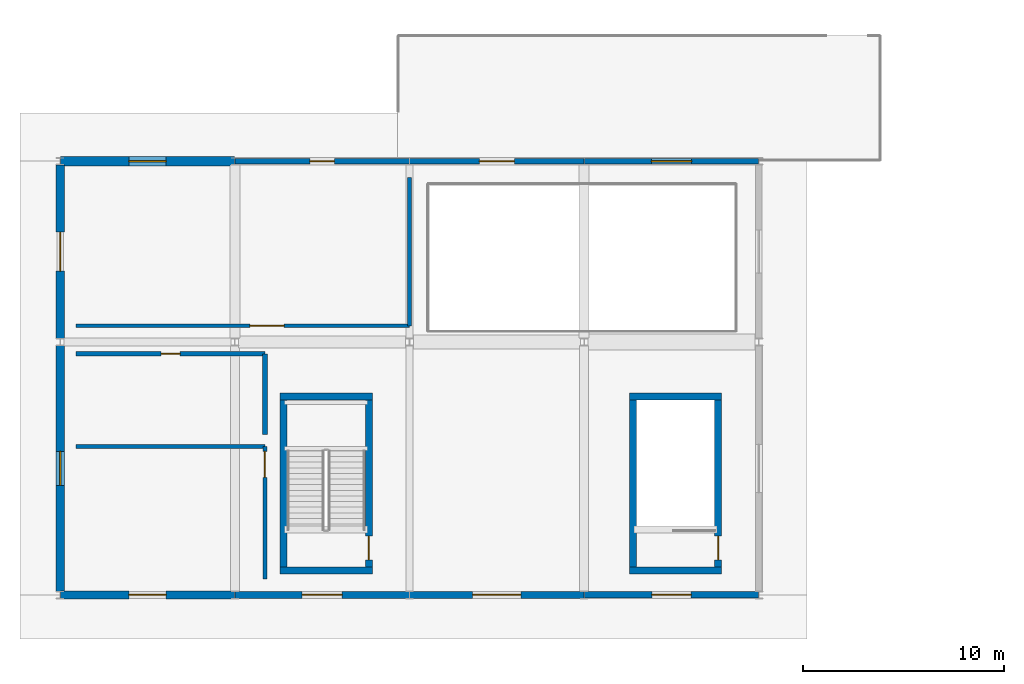
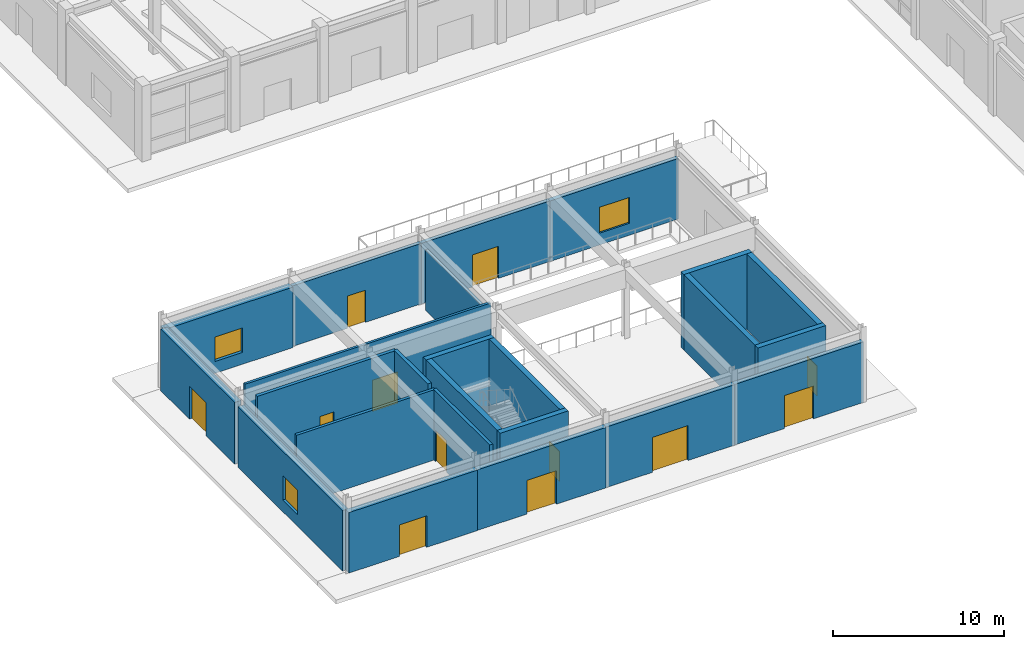
# One storey, part 68 of 91: 24 walls, 12 doors, 3 windows, 15 openings.
"""IFC4 building model written with IfcOpenShell, lengths in metres."""

from ifc_helpers import new_model, si_unit, direction, frame, frame_2d, origin, place, context, subcontext, project, spatial, rectangle, extrude, material, layer, layer_set, type_object, element, fill, save


model = new_model("IFC4")

# Units and contexts
model_context = context("Model", 3, precision=1e-05, world=origin(), true_north=direction((0.0, 1.0)))
body_context = subcontext(model_context, "Body", "Model", "MODEL_VIEW")
ifc_project = project(units=[si_unit("LENGTHUNIT", "METRE"), si_unit("AREAUNIT", "SQUARE_METRE"), si_unit("VOLUMEUNIT", "CUBIC_METRE"), si_unit("PLANEANGLEUNIT", "RADIAN"), si_unit("MASSUNIT", "GRAM", prefix="KILO")], contexts=[model_context])

# Site, building, storey
site_placement = place(None, origin())
site = spatial("IfcSite", under=ifc_project, at=site_placement, CompositionType="ELEMENT")
building_placement = place(site_placement, origin())
building = spatial("IfcBuilding", under=site, at=building_placement, Name="Vaelkrest Opera House", CompositionType="ELEMENT")
storey_placement = place(building_placement, origin())
storey = spatial("IfcBuildingStorey", under=building, at=storey_placement, Name="L00", CompositionType="ELEMENT", Elevation=0.0)

# Wall, opening, door
ifc_material_1 = material(Name="Douglas fir glulam GL28h", Category="wood")
ifc_layer_1 = layer(ifc_material_1, 0.2548828125)
ifc_layer_set_1 = layer_set([ifc_layer_1], Name="Douglas fir glulam GL28h")
wall_type_1 = type_object("IfcWallType", Name="EW01", PredefinedType="STANDARD", material=ifc_layer_set_1)
wall_1_placement = place(storey_placement, frame((-77.68994140625, -37.800048828125, 0.0), z_axis=(0.0, 0.0, 1.0), x_axis=(1.0, 0.0, 0.0)))
wall_1 = element("IfcWall", 1, at=wall_1_placement, inside=storey, type_object=wall_type_1, Name="Exterior facade wall EW-V5-L00-0311", PredefinedType="STANDARD", context=body_context, shape_type="SweptSolid", body=[
    extrude(rectangle(XDim=8.679931640625, YDim=0.2548828125, at=frame_2d((4.33984375, 0.0))), origin(), (0.0, 0.0, 1.0), 4.320068359375),
])
opening_1_placement = place(wall_1_placement, frame((3.72998046875, 0.0, 0.0)))
opening_1 = element("IfcOpeningElement", 2, at=opening_1_placement, cuts=wall_1, Name="Opening ED-N-V5", PredefinedType="OPENING", context=body_context, shape_type="SweptSolid", body=[
    extrude(rectangle(XDim=1.219970703125, YDim=2.300048828125, at=frame_2d((0.60986328125, 1.14990234375))), frame((0.0, 0.137451171875, 0.0), z_axis=(0.0, -1.0, 0.0), x_axis=(1.0, 0.0, 0.0)), (0.0, 0.0, 1.0), 0.27490234375),
])
ifc_material_2 = material(Name="Dark bronze anodized aluminium", Category="aluminium")
door_type_1 = type_object("IfcDoorType", Name="EDT06", OperationType="NOTDEFINED", PredefinedType="DOOR", material=ifc_material_2)
door_1_placement = place(opening_1_placement, origin())
door_1 = element("IfcDoor", 3, at=door_1_placement, inside=storey, type_object=door_type_1, Name="Exterior exit door ED-N-V5", OperationType="SINGLE_SWING_RIGHT", OverallHeight=2.300048828125, OverallWidth=1.219970703125, PredefinedType="DOOR", context=body_context, shape_type="SweptSolid", body=[
    extrude(rectangle(XDim=1.219970703125, YDim=2.300048828125, at=frame_2d((0.60986328125, 1.14990234375))), frame((0.0, 0.02490234375, 0.0), z_axis=(0.0, -1.0, 0.0), x_axis=(1.0, 0.0, 0.0)), (0.0, 0.0, 1.0), 0.050048828125),
])
fill(opening_1, door_1)

ifc_layer_2 = layer(ifc_material_1, 0.27490234375)
ifc_layer_set_2 = layer_set([ifc_layer_2], Name="Douglas fir glulam GL28h")
wall_type_2 = type_object("IfcWallType", Name="EW02", PredefinedType="STANDARD", material=ifc_layer_set_2)
wall_2_placement = place(storey_placement, frame((-68.989990234375, -37.800048828125, 0.0), z_axis=(0.0, 0.0, 1.0), x_axis=(1.0, 0.0, 0.0)))
wall_2 = element("IfcWall", 4, at=wall_2_placement, inside=storey, type_object=wall_type_2, Name="Exterior facade wall EW-V5-L00-0312", PredefinedType="STANDARD", context=body_context, shape_type="SweptSolid", body=[
    extrude(rectangle(XDim=8.679931640625, YDim=0.27490234375, at=frame_2d((4.33984375, 0.0))), origin(), (0.0, 0.0, 1.0), 4.320068359375),
])
opening_2_placement = place(wall_2_placement, frame((3.465087890625, 0.0, 0.0)))
opening_2 = element("IfcOpeningElement", 5, at=opening_2_placement, cuts=wall_2, Name="Opening ED-N-V5B", PredefinedType="OPENING", context=body_context, shape_type="SweptSolid", body=[
    extrude(rectangle(XDim=1.75, YDim=2.300048828125, at=frame_2d((0.875, 1.14990234375))), frame((0.0, 0.1474609375, 0.0), z_axis=(0.0, -1.0, 0.0), x_axis=(1.0, 0.0, 0.0)), (0.0, 0.0, 1.0), 0.294921875),
])
door_type_2 = type_object("IfcDoorType", Name="EDT04", OperationType="DOUBLE_DOOR_SINGLE_SWING", PredefinedType="DOOR", material=ifc_material_2)
door_2_placement = place(opening_2_placement, origin())
door_2 = element("IfcDoor", 6, at=door_2_placement, inside=storey, type_object=door_type_2, Name="Exterior exit door ED-N-V5B", OperationType="DOUBLE_DOOR_SINGLE_SWING", OverallHeight=2.300048828125, OverallWidth=1.75, PredefinedType="DOOR", context=body_context, shape_type="SweptSolid", body=[
    extrude(rectangle(XDim=1.75, YDim=2.300048828125, at=frame_2d((0.875, 1.14990234375))), frame((0.0, 0.02490234375, 0.0), z_axis=(0.0, -1.0, 0.0), x_axis=(1.0, 0.0, 0.0)), (0.0, 0.0, 1.0), 0.050048828125),
])
fill(opening_2, door_2)

# Wall, opening, window
ifc_layer_3 = layer(ifc_material_1, 0.294921875)
ifc_layer_set_3 = layer_set([ifc_layer_3], Name="Douglas fir glulam GL28h")
wall_type_3 = type_object("IfcWallType", Name="EW03", PredefinedType="STANDARD", material=ifc_layer_set_3)
wall_3_placement = place(storey_placement, frame((-60.2900390625, -37.800048828125, 0.0), z_axis=(0.0, 0.0, 1.0), x_axis=(1.0, 0.0, 0.0)))
wall_3 = element("IfcWall", 7, at=wall_3_placement, inside=storey, type_object=wall_type_3, Name="Exterior facade wall EW-V5-L00-0313", PredefinedType="STANDARD", context=body_context, shape_type="SweptSolid", body=[
    extrude(rectangle(XDim=8.679931640625, YDim=0.294921875, at=frame_2d((4.33984375, 0.0))), origin(), (0.0, 0.0, 1.0), 4.320068359375),
])
opening_3_placement = place(wall_3_placement, frame((3.340087890625, 0.0, 0.85009765625)))
opening_3 = element("IfcOpeningElement", 8, at=opening_3_placement, cuts=wall_3, Name="Opening WN189", PredefinedType="OPENING", context=body_context, shape_type="SweptSolid", body=[
    extrude(rectangle(XDim=2.0, YDim=1.85009765625, at=frame_2d((1.0, 0.925048828125))), frame((0.0, 0.157470703125, 0.0), z_axis=(0.0, -1.0, 0.0), x_axis=(1.0, 0.0, 0.0)), (0.0, 0.0, 1.0), 0.31494140625),
])
ifc_material_3 = material(Name="Double low-E insulated glazing", Category="glass")
window_type_1 = type_object("IfcWindowType", Name="WT07", PartitioningType="SINGLE_PANEL", PredefinedType="WINDOW", material=ifc_material_3)
window_1_placement = place(opening_3_placement, origin())
window_1 = element("IfcWindow", 9, at=window_1_placement, inside=storey, type_object=window_type_1, Name="Facade window WN189", OverallHeight=1.85009765625, OverallWidth=2.0, PartitioningType="SINGLE_PANEL", PredefinedType="WINDOW", context=body_context, shape_type="SweptSolid", body=[
    extrude(rectangle(XDim=2.0, YDim=1.85009765625, at=frame_2d((1.0, 0.925048828125))), frame((0.0, 0.030029296875, 0.0), z_axis=(0.0, -1.0, 0.0), x_axis=(1.0, 0.0, 0.0)), (0.0, 0.0, 1.0), 0.06005859375),
])
fill(opening_3, window_1)

# Wall, opening, door
ifc_material_4 = material(Name="American black walnut acoustic timber", Category="wood")
ifc_layer_4 = layer(ifc_material_4, 0.31494140625)
ifc_layer_set_4 = layer_set([ifc_layer_4], Name="American black walnut acoustic timber")
wall_type_4 = type_object("IfcWallType", Name="EW04", PredefinedType="STANDARD", material=ifc_layer_set_4)
wall_4_placement = place(storey_placement, frame((-51.610107421875, -59.39990234375, 0.0), z_axis=(0.0, 0.0, 1.0), x_axis=(-1.0, 0.0, 0.0)))
wall_4 = element("IfcWall", 10, at=wall_4_placement, inside=storey, type_object=wall_type_4, Name="Exterior facade wall EW-V5-L00-0304", PredefinedType="STANDARD", context=body_context, shape_type="SweptSolid", body=[
    extrude(rectangle(XDim=8.679931640625, YDim=0.31494140625, at=frame_2d((4.33984375, 0.0))), origin(), (0.0, 0.0, 1.0), 4.320068359375),
])
opening_4_placement = place(wall_4_placement, frame((3.364990234375, 0.0, 0.0)))
opening_4 = element("IfcOpeningElement", 11, at=opening_4_placement, cuts=wall_4, Name="Opening ED27", PredefinedType="OPENING", context=body_context, shape_type="SweptSolid", body=[
    extrude(rectangle(XDim=1.949951171875, YDim=2.35009765625, at=frame_2d((0.97509765625, 1.175048828125))), frame((0.0, 0.16748046875, 0.0), z_axis=(0.0, -1.0, 0.0), x_axis=(1.0, 0.0, 0.0)), (0.0, 0.0, 1.0), 0.3349609375),
])
door_type_3 = type_object("IfcDoorType", Name="EDT07", OperationType="DOUBLE_DOOR_SINGLE_SWING", PredefinedType="DOOR", material=ifc_material_2)
door_3_placement = place(opening_4_placement, origin())
door_3 = element("IfcDoor", 12, at=door_3_placement, inside=storey, type_object=door_type_3, Name="Exterior exit door ED27", OperationType="DOUBLE_DOOR_SINGLE_SWING", OverallHeight=2.35009765625, OverallWidth=1.949951171875, PredefinedType="DOOR", context=body_context, shape_type="SweptSolid", body=[
    extrude(rectangle(XDim=1.949951171875, YDim=2.35009765625, at=frame_2d((0.97509765625, 1.175048828125))), frame((0.0, 0.02490234375, 0.0), z_axis=(0.0, -1.0, 0.0), x_axis=(1.0, 0.0, 0.0)), (0.0, 0.0, 1.0), 0.050048828125),
])
fill(opening_4, door_3)

ifc_layer_5 = layer(ifc_material_4, 0.3349609375)
ifc_layer_set_5 = layer_set([ifc_layer_5], Name="American black walnut acoustic timber")
wall_type_5 = type_object("IfcWallType", Name="EW05", PredefinedType="STANDARD", material=ifc_layer_set_5)
wall_5_placement = place(storey_placement, frame((-60.31005859375, -59.39990234375, 0.0), z_axis=(0.0, 0.0, 1.0), x_axis=(-1.0, 0.0, 0.0)))
wall_5 = element("IfcWall", 13, at=wall_5_placement, inside=storey, type_object=wall_type_5, Name="Exterior facade wall EW-V5-L00-0305", PredefinedType="STANDARD", context=body_context, shape_type="SweptSolid", body=[
    extrude(rectangle(XDim=8.679931640625, YDim=0.3349609375, at=frame_2d((4.33984375, 0.0))), origin(), (0.0, 0.0, 1.0), 4.320068359375),
])
opening_5_placement = place(wall_5_placement, frame((3.139892578125, 0.0, 0.0)))
opening_5 = element("IfcOpeningElement", 14, at=opening_5_placement, cuts=wall_5, Name="Opening ED28", PredefinedType="OPENING", context=body_context, shape_type="SweptSolid", body=[
    extrude(rectangle(XDim=2.39990234375, YDim=2.5, at=frame_2d((1.199951171875, 1.25))), frame((0.0, 0.177490234375, 0.0), z_axis=(0.0, -1.0, 0.0), x_axis=(1.0, 0.0, 0.0)), (0.0, 0.0, 1.0), 0.35498046875),
])
door_type_4 = type_object("IfcDoorType", Name="EDT08", OperationType="DOUBLE_DOOR_SINGLE_SWING", PredefinedType="DOOR", material=ifc_material_2)
door_4_placement = place(opening_5_placement, origin())
door_4 = element("IfcDoor", 15, at=door_4_placement, inside=storey, type_object=door_type_4, Name="Exterior exit door ED28", OperationType="DOUBLE_DOOR_SINGLE_SWING", OverallHeight=2.5, OverallWidth=2.39990234375, PredefinedType="DOOR", context=body_context, shape_type="SweptSolid", body=[
    extrude(rectangle(XDim=2.39990234375, YDim=2.5, at=frame_2d((1.199951171875, 1.25))), frame((0.0, 0.02490234375, 0.0), z_axis=(0.0, -1.0, 0.0), x_axis=(1.0, 0.0, 0.0)), (0.0, 0.0, 1.0), 0.050048828125),
])
fill(opening_5, door_4)

ifc_layer_6 = layer(ifc_material_4, 0.360107421875)
ifc_layer_set_6 = layer_set([ifc_layer_6], Name="American black walnut acoustic timber")
wall_type_6 = type_object("IfcWallType", Name="EW06", PredefinedType="STANDARD", material=ifc_layer_set_6)
wall_6_placement = place(storey_placement, frame((-69.010009765625, -59.39990234375, 0.0), z_axis=(0.0, 0.0, 1.0), x_axis=(-1.0, 0.0, 0.0)))
wall_6 = element("IfcWall", 16, at=wall_6_placement, inside=storey, type_object=wall_type_6, Name="Exterior facade wall EW-V5-L00-0306", PredefinedType="STANDARD", context=body_context, shape_type="SweptSolid", body=[
    extrude(rectangle(XDim=8.679931640625, YDim=0.360107421875, at=frame_2d((4.33984375, 0.0))), origin(), (0.0, 0.0, 1.0), 4.320068359375),
])
opening_6_placement = place(wall_6_placement, frame((3.340087890625, 0.0, 0.0)))
opening_6 = element("IfcOpeningElement", 17, at=opening_6_placement, cuts=wall_6, Name="Opening ED29", PredefinedType="OPENING", context=body_context, shape_type="SweptSolid", body=[
    extrude(rectangle(XDim=2.0, YDim=2.39990234375, at=frame_2d((1.0, 1.199951171875))), frame((0.0, 0.18994140625, 0.0), z_axis=(0.0, -1.0, 0.0), x_axis=(1.0, 0.0, 0.0)), (0.0, 0.0, 1.0), 0.380126953125),
])
door_type_5 = type_object("IfcDoorType", Name="EDT01", OperationType="DOUBLE_DOOR_SINGLE_SWING", PredefinedType="DOOR", material=ifc_material_2)
door_5_placement = place(opening_6_placement, origin())
door_5 = element("IfcDoor", 18, at=door_5_placement, inside=storey, type_object=door_type_5, Name="Exterior exit door ED29", OperationType="DOUBLE_DOOR_SINGLE_SWING", OverallHeight=2.39990234375, OverallWidth=2.0, PredefinedType="DOOR", context=body_context, shape_type="SweptSolid", body=[
    extrude(rectangle(XDim=2.0, YDim=2.39990234375, at=frame_2d((1.0, 1.199951171875))), frame((0.0, 0.02490234375, 0.0), z_axis=(0.0, -1.0, 0.0), x_axis=(1.0, 0.0, 0.0)), (0.0, 0.0, 1.0), 0.050048828125),
])
fill(opening_6, door_5)

ifc_material_5 = material(Name="Concrete C40/50", Category="concrete")
ifc_layer_7 = layer(ifc_material_5, 0.385009765625)
ifc_layer_set_7 = layer_set([ifc_layer_7], Name="Concrete C40/50")
wall_type_7 = type_object("IfcWallType", Name="EW07", PredefinedType="STANDARD", material=ifc_layer_set_7)
wall_7_placement = place(storey_placement, frame((-77.7099609375, -59.39990234375, 0.0), z_axis=(0.0, 0.0, 1.0), x_axis=(-1.0, 0.0, 0.0)))
wall_7 = element("IfcWall", 19, at=wall_7_placement, inside=storey, type_object=wall_type_7, Name="Exterior facade wall EW-V5-L00-0307", PredefinedType="STANDARD", context=body_context, shape_type="SweptSolid", body=[
    extrude(rectangle(XDim=8.679931640625, YDim=0.385009765625, at=frame_2d((4.33984375, 0.0))), origin(), (0.0, 0.0, 1.0), 4.320068359375),
])
opening_7_placement = place(wall_7_placement, frame((3.4150390625, 0.0, 0.0)))
opening_7 = element("IfcOpeningElement", 20, at=opening_7_placement, cuts=wall_7, Name="Opening ED30", PredefinedType="OPENING", context=body_context, shape_type="SweptSolid", body=[
    extrude(rectangle(XDim=1.85009765625, YDim=2.25, at=frame_2d((0.925048828125, 1.125))), frame((0.0, 0.202392578125, 0.0), z_axis=(0.0, -1.0, 0.0), x_axis=(1.0, 0.0, 0.0)), (0.0, 0.0, 1.0), 0.405029296875),
])
door_type_6 = type_object("IfcDoorType", Name="EDT02", OperationType="DOUBLE_DOOR_SINGLE_SWING", PredefinedType="DOOR", material=ifc_material_2)
door_6_placement = place(opening_7_placement, origin())
door_6 = element("IfcDoor", 21, at=door_6_placement, inside=storey, type_object=door_type_6, Name="Exterior exit door ED30", OperationType="DOUBLE_DOOR_SINGLE_SWING", OverallHeight=2.25, OverallWidth=1.85009765625, PredefinedType="DOOR", context=body_context, shape_type="SweptSolid", body=[
    extrude(rectangle(XDim=1.85009765625, YDim=2.25, at=frame_2d((0.925048828125, 1.125))), frame((0.0, 0.02490234375, 0.0), z_axis=(0.0, -1.0, 0.0), x_axis=(1.0, 0.0, 0.0)), (0.0, 0.0, 1.0), 0.050048828125),
])
fill(opening_7, door_6)

# Wall, opening, window
ifc_layer_8 = layer(ifc_material_5, 0.409912109375)
ifc_layer_set_8 = layer_set([ifc_layer_8], Name="Concrete C40/50")
wall_type_8 = type_object("IfcWallType", Name="EW08", PredefinedType="STANDARD", material=ifc_layer_set_8)
wall_8_placement = place(storey_placement, frame((-86.39990234375, -59.219970703125, 0.0), z_axis=(0.0, 0.0, 1.0), x_axis=(0.0, 1.0, 0.0)))
wall_8 = element("IfcWall", 22, at=wall_8_placement, inside=storey, type_object=wall_type_8, Name="Exterior facade wall EW-V5-L00-0308", PredefinedType="STANDARD", context=body_context, shape_type="SweptSolid", body=[
    extrude(rectangle(XDim=12.239990234375, YDim=0.409912109375, at=frame_2d((6.1201171875, 0.0))), origin(), (0.0, 0.0, 1.0), 4.320068359375),
])
opening_8_placement = place(wall_8_placement, frame((5.27001953125, 0.0, 0.85009765625)))
opening_8 = element("IfcOpeningElement", 23, at=opening_8_placement, cuts=wall_8, Name="Opening WN187", PredefinedType="OPENING", context=body_context, shape_type="SweptSolid", body=[
    extrude(rectangle(XDim=1.699951171875, YDim=1.75, at=frame_2d((0.85009765625, 0.875))), frame((0.0, 0.21484375, 0.0), z_axis=(0.0, -1.0, 0.0), x_axis=(1.0, 0.0, 0.0)), (0.0, 0.0, 1.0), 0.429931640625),
])
window_type_2 = type_object("IfcWindowType", Name="WT05", PartitioningType="SINGLE_PANEL", PredefinedType="WINDOW", material=ifc_material_3)
window_2_placement = place(opening_8_placement, origin())
window_2 = element("IfcWindow", 24, at=window_2_placement, inside=storey, type_object=window_type_2, Name="Facade window WN187", OverallHeight=1.75, OverallWidth=1.699951171875, PartitioningType="SINGLE_PANEL", PredefinedType="WINDOW", context=body_context, shape_type="SweptSolid", body=[
    extrude(rectangle(XDim=1.699951171875, YDim=1.75, at=frame_2d((0.85009765625, 0.875))), frame((0.0, 0.030029296875, 0.0), z_axis=(0.0, -1.0, 0.0), x_axis=(1.0, 0.0, 0.0)), (0.0, 0.0, 1.0), 0.06005859375),
])
fill(opening_8, window_2)

# Wall, opening, door
ifc_layer_9 = layer(ifc_material_5, 0.43505859375)
ifc_layer_set_9 = layer_set([ifc_layer_9], Name="Concrete C40/50")
wall_type_9 = type_object("IfcWallType", Name="EW09", PredefinedType="STANDARD", material=ifc_layer_set_9)
wall_9_placement = place(storey_placement, frame((-86.39990234375, -46.6201171875, 0.0), z_axis=(0.0, 0.0, 1.0), x_axis=(0.0, 1.0, 0.0)))
wall_9 = element("IfcWall", 25, at=wall_9_placement, inside=storey, type_object=wall_type_9, Name="Exterior facade wall EW-V5-L00-0309", PredefinedType="STANDARD", context=body_context, shape_type="SweptSolid", body=[
    extrude(rectangle(XDim=8.64013671875, YDim=0.43505859375, at=frame_2d((4.320068359375, 0.0))), origin(), (0.0, 0.0, 1.0), 4.404052734375),
])
opening_9_placement = place(wall_9_placement, frame((3.344970703125, 0.0, 0.0)))
opening_9 = element("IfcOpeningElement", 26, at=opening_9_placement, cuts=wall_9, Name="Opening ED31", PredefinedType="OPENING", context=body_context, shape_type="SweptSolid", body=[
    extrude(rectangle(XDim=1.949951171875, YDim=2.35009765625, at=frame_2d((0.97509765625, 1.175048828125))), frame((0.0, 0.2275390625, 0.0), z_axis=(0.0, -1.0, 0.0), x_axis=(1.0, 0.0, 0.0)), (0.0, 0.0, 1.0), 0.455078125),
])
door_7_placement = place(opening_9_placement, origin())
door_7 = element("IfcDoor", 27, at=door_7_placement, inside=storey, type_object=door_type_3, Name="Exterior exit door ED31", OperationType="DOUBLE_DOOR_SINGLE_SWING", OverallHeight=2.35009765625, OverallWidth=1.949951171875, PredefinedType="DOOR", context=body_context, shape_type="SweptSolid", body=[
    extrude(rectangle(XDim=1.949951171875, YDim=2.35009765625, at=frame_2d((0.97509765625, 1.175048828125))), frame((0.0, 0.02490234375, 0.0), z_axis=(0.0, -1.0, 0.0), x_axis=(1.0, 0.0, 0.0)), (0.0, 0.0, 1.0), 0.050048828125),
])
fill(opening_9, door_7)

# Wall, opening, window
ifc_layer_10 = layer(ifc_material_5, 0.465087890625)
ifc_layer_set_10 = layer_set([ifc_layer_10], Name="Concrete C40/50")
wall_type_10 = type_object("IfcWallType", Name="EW10", PredefinedType="STANDARD", material=ifc_layer_set_10)
wall_10_placement = place(storey_placement, frame((-86.389892578125, -37.800048828125, 0.0), z_axis=(0.0, 0.0, 1.0), x_axis=(1.0, 0.0, 0.0)))
wall_10 = element("IfcWall", 28, at=wall_10_placement, inside=storey, type_object=wall_type_10, Name="Exterior facade wall EW-V5-L00-0310", PredefinedType="STANDARD", context=body_context, shape_type="SweptSolid", body=[
    extrude(rectangle(XDim=8.679931640625, YDim=0.465087890625, at=frame_2d((4.33984375, 0.0))), origin(), (0.0, 0.0, 1.0), 4.320068359375),
])
opening_10_placement = place(wall_10_placement, frame((3.4150390625, 0.0, 0.85009765625)))
opening_10 = element("IfcOpeningElement", 29, at=opening_10_placement, cuts=wall_10, Name="Opening WN188", PredefinedType="OPENING", context=body_context, shape_type="SweptSolid", body=[
    extrude(rectangle(XDim=1.85009765625, YDim=1.75, at=frame_2d((0.925048828125, 0.875))), frame((0.0, 0.242431640625, 0.0), z_axis=(0.0, -1.0, 0.0), x_axis=(1.0, 0.0, 0.0)), (0.0, 0.0, 1.0), 0.485107421875),
])
window_type_3 = type_object("IfcWindowType", Name="WT06", PartitioningType="SINGLE_PANEL", PredefinedType="WINDOW", material=ifc_material_3)
window_3_placement = place(opening_10_placement, origin())
window_3 = element("IfcWindow", 30, at=window_3_placement, inside=storey, type_object=window_type_3, Name="Facade window WN188", OverallHeight=1.75, OverallWidth=1.85009765625, PartitioningType="SINGLE_PANEL", PredefinedType="WINDOW", context=body_context, shape_type="SweptSolid", body=[
    extrude(rectangle(XDim=1.85009765625, YDim=1.75, at=frame_2d((0.925048828125, 0.875))), frame((0.0, 0.030029296875, 0.0), z_axis=(0.0, -1.0, 0.0), x_axis=(1.0, 0.0, 0.0)), (0.0, 0.0, 1.0), 0.06005859375),
])
fill(opening_10, window_3)

# Wall, opening, door
ifc_material_6 = material(Name="Gypsum acoustic board", Category="gypsum")
ifc_layer_11 = layer(ifc_material_6, 0.1650390625)
ifc_layer_set_11 = layer_set([ifc_layer_11], Name="Gypsum acoustic board")
wall_type_11 = type_object("IfcWallType", Name="PT04", PredefinedType="PARTITIONING", material=ifc_layer_set_11)
wall_11_placement = place(storey_placement, frame((-85.60009765625, -46.0, 0.0), z_axis=(0.0, 0.0, 1.0), x_axis=(1.0, 0.0, 0.0)))
wall_11 = element("IfcWall", 31, at=wall_11_placement, inside=storey, type_object=wall_type_11, Name="Interior partition PT-V5-L00-0410", PredefinedType="PARTITIONING", context=body_context, shape_type="SweptSolid", body=[
    extrude(rectangle(XDim=16.60009765625, YDim=0.1650390625, at=frame_2d((8.300048828125, 0.0))), origin(), (0.0, 0.0, 1.0), 5.02001953125),
])
opening_11_placement = place(wall_11_placement, frame((8.64990234375, 0.0, 0.0)))
opening_11 = element("IfcOpeningElement", 32, at=opening_11_placement, cuts=wall_11, Name="Opening D172", PredefinedType="OPENING", context=body_context, shape_type="SweptSolid", body=[
    extrude(rectangle(XDim=1.699951171875, YDim=2.25, at=frame_2d((0.85009765625, 1.125))), frame((0.0, 0.092529296875, 0.0), z_axis=(0.0, -1.0, 0.0), x_axis=(1.0, 0.0, 0.0)), (0.0, 0.0, 1.0), 0.18505859375),
])
door_type_7 = type_object("IfcDoorType", Name="DT14", OperationType="DOUBLE_DOOR_SINGLE_SWING", PredefinedType="DOOR", material=ifc_material_4)
door_8_placement = place(opening_11_placement, origin())
door_8 = element("IfcDoor", 33, at=door_8_placement, inside=storey, type_object=door_type_7, Name="Interior door D172 (Metro Concourse Foyer)", OperationType="DOUBLE_DOOR_SINGLE_SWING", OverallHeight=2.25, OverallWidth=1.699951171875, PredefinedType="DOOR", context=body_context, shape_type="SweptSolid", body=[
    extrude(rectangle(XDim=1.699951171875, YDim=2.25, at=frame_2d((0.85009765625, 1.125))), frame((0.0, 0.02490234375, 0.0), z_axis=(0.0, -1.0, 0.0), x_axis=(1.0, 0.0, 0.0)), (0.0, 0.0, 1.0), 0.050048828125),
])
fill(opening_11, door_8)

# Walls
ifc_layer_12 = layer(ifc_material_6, 0.179931640625)
ifc_layer_set_12 = layer_set([ifc_layer_12], Name="Gypsum acoustic board")
wall_type_12 = type_object("IfcWallType", Name="PT05", PredefinedType="PARTITIONING", material=ifc_layer_set_12)
wall_12_placement = place(storey_placement, frame((-69.0, -46.0, 0.0), z_axis=(0.0, 0.0, 1.0), x_axis=(0.0, 1.0, 0.0)))
element("IfcWall", 34, at=wall_12_placement, inside=storey, type_object=wall_type_12, Name="Interior partition PT-V5-L00-0411", PredefinedType="PARTITIONING", context=body_context, shape_type="SweptSolid", body=[
    extrude(rectangle(XDim=7.39990234375, YDim=0.179931640625, at=frame_2d((3.699951171875, 0.0))), origin(), (0.0, 0.0, 1.0), 4.30908203125),
])
ifc_layer_13 = layer(ifc_material_6, 0.195068359375)
ifc_layer_set_13 = layer_set([ifc_layer_13], Name="Gypsum acoustic board")
wall_type_13 = type_object("IfcWallType", Name="PT06", PredefinedType="PARTITIONING", material=ifc_layer_set_13)
wall_13_placement = place(storey_placement, frame((-85.60009765625, -52.0, 0.0), z_axis=(0.0, 0.0, 1.0), x_axis=(1.0, 0.0, 0.0)))
element("IfcWall", 35, at=wall_13_placement, inside=storey, type_object=wall_type_13, Name="Interior partition PT-V5-L00-0412", PredefinedType="PARTITIONING", context=body_context, shape_type="SweptSolid", body=[
    extrude(rectangle(XDim=9.400146484375, YDim=0.195068359375, at=frame_2d((4.7001953125, 0.0))), origin(), (0.0, 0.0, 1.0), 5.02001953125),
])

# Wall, opening, door
ifc_layer_14 = layer(ifc_material_4, 0.2099609375)
ifc_layer_set_14 = layer_set([ifc_layer_14], Name="American black walnut acoustic timber")
wall_type_14 = type_object("IfcWallType", Name="PT07", PredefinedType="PARTITIONING", material=ifc_layer_set_14)
wall_14_placement = place(storey_placement, frame((-76.199951171875, -58.60009765625, 0.0), z_axis=(0.0, 0.0, 1.0), x_axis=(0.0, 1.0, 0.0)))
wall_14 = element("IfcWall", 36, at=wall_14_placement, inside=storey, type_object=wall_type_14, Name="Interior partition PT-V5-L00-0413", PredefinedType="PARTITIONING", context=body_context, shape_type="SweptSolid", body=[
    extrude(rectangle(XDim=6.60009765625, YDim=0.2099609375, at=frame_2d((3.300048828125, 0.0))), origin(), (0.0, 0.0, 1.0), 5.02001953125),
])
opening_12_placement = place(wall_14_placement, frame((5.050048828125, 0.0, 0.0)))
opening_12 = element("IfcOpeningElement", 37, at=opening_12_placement, cuts=wall_14, Name="Opening D173", PredefinedType="OPENING", context=body_context, shape_type="SweptSolid", body=[
    extrude(rectangle(XDim=1.300048828125, YDim=2.25, at=frame_2d((0.64990234375, 1.125))), frame((0.0, 0.114990234375, 0.0), z_axis=(0.0, -1.0, 0.0), x_axis=(1.0, 0.0, 0.0)), (0.0, 0.0, 1.0), 0.22998046875),
])
door_type_8 = type_object("IfcDoorType", Name="DT09", OperationType="NOTDEFINED", PredefinedType="DOOR", material=ifc_material_4)
door_9_placement = place(opening_12_placement, origin())
door_9 = element("IfcDoor", 38, at=door_9_placement, inside=storey, type_object=door_type_8, Name="Interior door D173 (Box Office)", OperationType="SINGLE_SWING_LEFT", OverallHeight=2.25, OverallWidth=1.300048828125, PredefinedType="DOOR", context=body_context, shape_type="SweptSolid", body=[
    extrude(rectangle(XDim=1.300048828125, YDim=2.25, at=frame_2d((0.64990234375, 1.125))), frame((0.0, 0.02490234375, 0.0), z_axis=(0.0, -1.0, 0.0), x_axis=(1.0, 0.0, 0.0)), (0.0, 0.0, 1.0), 0.050048828125),
])
fill(opening_12, door_9)

ifc_layer_15 = layer(ifc_material_4, 0.22509765625)
ifc_layer_set_15 = layer_set([ifc_layer_15], Name="American black walnut acoustic timber")
wall_type_15 = type_object("IfcWallType", Name="PT08", PredefinedType="PARTITIONING", material=ifc_layer_set_15)
wall_15_placement = place(storey_placement, frame((-85.60009765625, -47.39990234375, 0.0), z_axis=(0.0, 0.0, 1.0), x_axis=(1.0, 0.0, 0.0)))
wall_15 = element("IfcWall", 39, at=wall_15_placement, inside=storey, type_object=wall_type_15, Name="Interior partition PT-V5-L00-0414", PredefinedType="PARTITIONING", context=body_context, shape_type="SweptSolid", body=[
    extrude(rectangle(XDim=9.400146484375, YDim=0.22509765625, at=frame_2d((4.7001953125, 0.0))), origin(), (0.0, 0.0, 1.0), 5.02001953125),
])
opening_13_placement = place(wall_15_placement, frame((4.22998046875, 0.0, 0.0)))
opening_13 = element("IfcOpeningElement", 40, at=opening_13_placement, cuts=wall_15, Name="Opening D174", PredefinedType="OPENING", context=body_context, shape_type="SweptSolid", body=[
    extrude(rectangle(XDim=0.93994140625, YDim=2.10009765625, at=frame_2d((0.469970703125, 1.050048828125))), frame((0.0, 0.12255859375, 0.0), z_axis=(0.0, -1.0, 0.0), x_axis=(1.0, 0.0, 0.0)), (0.0, 0.0, 1.0), 0.2451171875),
])
door_type_9 = type_object("IfcDoorType", Name="DT02", OperationType="NOTDEFINED", PredefinedType="DOOR", material=ifc_material_4)
door_10_placement = place(opening_13_placement, origin())
door_10 = element("IfcDoor", 41, at=door_10_placement, inside=storey, type_object=door_type_9, Name="Interior door D174 (Accessible Washroom)", OperationType="SINGLE_SWING_RIGHT", OverallHeight=2.10009765625, OverallWidth=0.93994140625, PredefinedType="DOOR", context=body_context, shape_type="SweptSolid", body=[
    extrude(rectangle(XDim=0.93994140625, YDim=2.10009765625, at=frame_2d((0.469970703125, 1.050048828125))), frame((0.0, 0.02490234375, 0.0), z_axis=(0.0, -1.0, 0.0), x_axis=(1.0, 0.0, 0.0)), (0.0, 0.0, 1.0), 0.050048828125),
])
fill(opening_13, door_10)

# Walls
ifc_layer_16 = layer(ifc_material_5, 0.239990234375)
ifc_layer_set_16 = layer_set([ifc_layer_16], Name="Concrete C40/50")
wall_type_16 = type_object("IfcWallType", Name="PT09", PredefinedType="PARTITIONING", material=ifc_layer_set_16)
wall_16_placement = place(storey_placement, frame((-76.199951171875, -51.39990234375, 0.0), z_axis=(0.0, 0.0, 1.0), x_axis=(0.0, 1.0, 0.0)))
element("IfcWall", 42, at=wall_16_placement, inside=storey, type_object=wall_type_16, Name="Interior partition PT-V5-L00-0415", PredefinedType="PARTITIONING", context=body_context, shape_type="SweptSolid", body=[
    extrude(rectangle(XDim=4.0, YDim=0.239990234375, at=frame_2d((2.0, 0.0))), origin(), (0.0, 0.0, 1.0), 5.02001953125),
])
ifc_material_7 = material(Name="Concrete C50/60", Category="concrete")
ifc_layer_17 = layer(ifc_material_7, 0.35009765625)
ifc_layer_set_17 = layer_set([ifc_layer_17], Name="Concrete C50/60")
wall_type_17 = type_object("IfcWallType", Name="SW01", PredefinedType="SHEAR", material=ifc_layer_set_17)
wall_17_placement = place(storey_placement, frame((-70.85009765625, -58.175048828125, 0.0), z_axis=(0.0, 0.0, 1.0), x_axis=(-1.0, 0.0, 0.0)))
element("IfcWall", 43, at=wall_17_placement, inside=storey, type_object=wall_type_17, Name="Stair core ST11 wall L00 S", PredefinedType="SHEAR", context=body_context, shape_type="SweptSolid", body=[
    extrude(rectangle(XDim=4.599853515625, YDim=0.35009765625, at=frame_2d((2.2998046875, 0.0))), origin(), (0.0, 0.0, 1.0), 5.39990234375),
])
wall_18_placement = place(storey_placement, frame((-75.27490234375, -58.0, 0.0), z_axis=(0.0, 0.0, 1.0), x_axis=(0.0, 1.0, 0.0)))
element("IfcWall", 44, at=wall_18_placement, inside=storey, type_object=wall_type_17, Name="Stair core ST11 wall L00 W", PredefinedType="SHEAR", context=body_context, shape_type="SweptSolid", body=[
    extrude(rectangle(XDim=8.300048828125, YDim=0.35009765625, at=frame_2d((4.14990234375, 0.0))), origin(), (0.0, 0.0, 1.0), 5.39990234375),
])
wall_19_placement = place(storey_placement, frame((-75.449951171875, -49.52490234375, 0.0), z_axis=(0.0, 0.0, 1.0), x_axis=(1.0, 0.0, 0.0)))
element("IfcWall", 45, at=wall_19_placement, inside=storey, type_object=wall_type_17, Name="Stair core ST11 wall L00 N", PredefinedType="SHEAR", context=body_context, shape_type="SweptSolid", body=[
    extrude(rectangle(XDim=4.599853515625, YDim=0.35009765625, at=frame_2d((2.2998046875, 0.0))), origin(), (0.0, 0.0, 1.0), 5.39990234375),
])

# Wall, opening, door
wall_20_placement = place(storey_placement, frame((-71.02490234375, -49.699951171875, 0.0), z_axis=(0.0, 0.0, 1.0), x_axis=(0.0, -1.0, 0.0)))
wall_20 = element("IfcWall", 46, at=wall_20_placement, inside=storey, type_object=wall_type_17, Name="Stair core ST11 wall L00 E", PredefinedType="SHEAR", context=body_context, shape_type="SweptSolid", body=[
    extrude(rectangle(XDim=8.300048828125, YDim=0.35009765625, at=frame_2d((4.14990234375, 0.0))), origin(), (0.0, 0.0, 1.0), 5.39990234375),
])
opening_14_placement = place(wall_20_placement, frame((6.77001953125, 0.0, 0.0)))
opening_14 = element("IfcOpeningElement", 47, at=opening_14_placement, cuts=wall_20, Name="Opening SD-ST11-L00", PredefinedType="OPENING", context=body_context, shape_type="SweptSolid", body=[
    extrude(rectangle(XDim=1.179931640625, YDim=2.14990234375, at=frame_2d((0.58984375, 1.074951171875))), frame((0.0, 0.18505859375, 0.0), z_axis=(0.0, -1.0, 0.0), x_axis=(1.0, 0.0, 0.0)), (0.0, 0.0, 1.0), 0.3701171875),
])
door_type_10 = type_object("IfcDoorType", Name="DT07", OperationType="NOTDEFINED", PredefinedType="DOOR", material=ifc_material_4)
door_11_placement = place(opening_14_placement, origin())
door_11 = element("IfcDoor", 48, at=door_11_placement, inside=storey, type_object=door_type_10, Name="Protected stair door SD-ST11-L00", OperationType="SINGLE_SWING_LEFT", OverallHeight=2.14990234375, OverallWidth=1.179931640625, PredefinedType="DOOR", context=body_context, shape_type="SweptSolid", body=[
    extrude(rectangle(XDim=1.179931640625, YDim=2.14990234375, at=frame_2d((0.58984375, 1.074951171875))), frame((0.0, 0.02490234375, 0.0), z_axis=(0.0, -1.0, 0.0), x_axis=(1.0, 0.0, 0.0)), (0.0, 0.0, 1.0), 0.050048828125),
])
fill(opening_14, door_11)

# Walls
wall_21_placement = place(storey_placement, frame((-53.449951171875, -58.175048828125, 0.0), z_axis=(0.0, 0.0, 1.0), x_axis=(-1.0, 0.0, 0.0)))
element("IfcWall", 49, at=wall_21_placement, inside=storey, type_object=wall_type_17, Name="Stair core ST12 wall L00 S", PredefinedType="SHEAR", context=body_context, shape_type="SweptSolid", body=[
    extrude(rectangle(XDim=4.60009765625, YDim=0.35009765625, at=frame_2d((2.300048828125, 0.0))), origin(), (0.0, 0.0, 1.0), 5.39990234375),
])
wall_22_placement = place(storey_placement, frame((-57.875, -58.0, 0.0), z_axis=(0.0, 0.0, 1.0), x_axis=(0.0, 1.0, 0.0)))
element("IfcWall", 50, at=wall_22_placement, inside=storey, type_object=wall_type_17, Name="Stair core ST12 wall L00 W", PredefinedType="SHEAR", context=body_context, shape_type="SweptSolid", body=[
    extrude(rectangle(XDim=8.300048828125, YDim=0.35009765625, at=frame_2d((4.14990234375, 0.0))), origin(), (0.0, 0.0, 1.0), 5.39990234375),
])
wall_23_placement = place(storey_placement, frame((-58.050048828125, -49.52490234375, 0.0), z_axis=(0.0, 0.0, 1.0), x_axis=(1.0, 0.0, 0.0)))
element("IfcWall", 51, at=wall_23_placement, inside=storey, type_object=wall_type_17, Name="Stair core ST12 wall L00 N", PredefinedType="SHEAR", context=body_context, shape_type="SweptSolid", body=[
    extrude(rectangle(XDim=4.60009765625, YDim=0.35009765625, at=frame_2d((2.300048828125, 0.0))), origin(), (0.0, 0.0, 1.0), 5.39990234375),
])

# Wall, opening, door
wall_24_placement = place(storey_placement, frame((-53.625, -49.699951171875, 0.0), z_axis=(0.0, 0.0, 1.0), x_axis=(0.0, -1.0, 0.0)))
wall_24 = element("IfcWall", 52, at=wall_24_placement, inside=storey, type_object=wall_type_17, Name="Stair core ST12 wall L00 E", PredefinedType="SHEAR", context=body_context, shape_type="SweptSolid", body=[
    extrude(rectangle(XDim=8.300048828125, YDim=0.35009765625, at=frame_2d((4.14990234375, 0.0))), origin(), (0.0, 0.0, 1.0), 5.39990234375),
])
opening_15_placement = place(wall_24_placement, frame((6.77001953125, 0.0, 0.0)))
opening_15 = element("IfcOpeningElement", 53, at=opening_15_placement, cuts=wall_24, Name="Opening SD-ST12-L00", PredefinedType="OPENING", context=body_context, shape_type="SweptSolid", body=[
    extrude(rectangle(XDim=1.179931640625, YDim=2.14990234375, at=frame_2d((0.58984375, 1.074951171875))), frame((0.0, 0.18505859375, 0.0), z_axis=(0.0, -1.0, 0.0), x_axis=(1.0, 0.0, 0.0)), (0.0, 0.0, 1.0), 0.3701171875),
])
door_12_placement = place(opening_15_placement, origin())
door_12 = element("IfcDoor", 54, at=door_12_placement, inside=storey, type_object=door_type_10, Name="Protected stair door SD-ST12-L00", OperationType="SINGLE_SWING_RIGHT", OverallHeight=2.14990234375, OverallWidth=1.179931640625, PredefinedType="DOOR", context=body_context, shape_type="SweptSolid", body=[
    extrude(rectangle(XDim=1.179931640625, YDim=2.14990234375, at=frame_2d((0.58984375, 1.074951171875))), frame((0.0, 0.02490234375, 0.0), z_axis=(0.0, -1.0, 0.0), x_axis=(1.0, 0.0, 0.0)), (0.0, 0.0, 1.0), 0.050048828125),
])
fill(opening_15, door_12)

save(model, "model.ifc")
